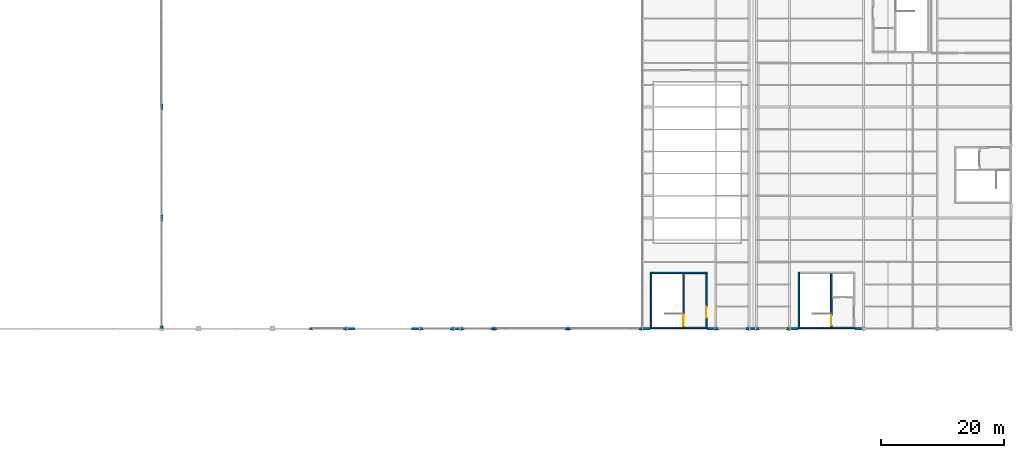
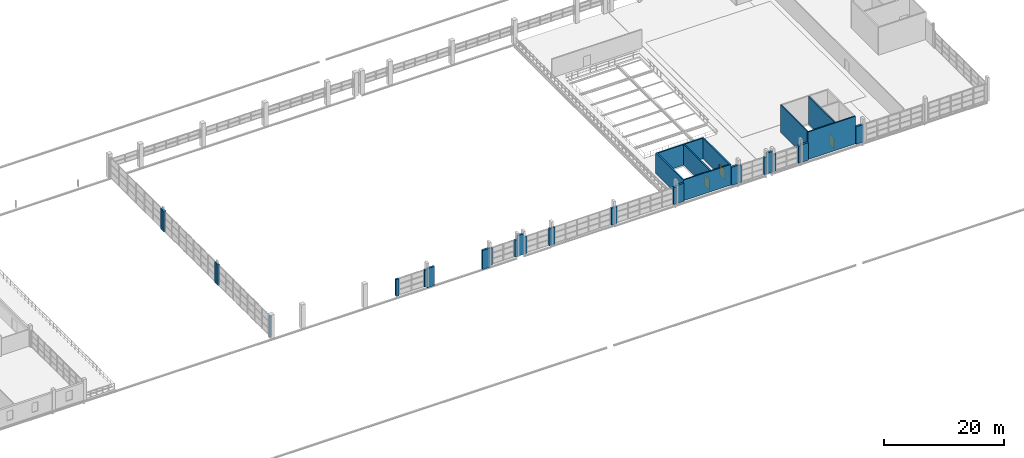
# One storey, part 79 of 86: 35 walls, 3 doors, 3 openings.
"""IFC4 building model written with IfcOpenShell, lengths in metres."""

from ifc_helpers import new_model, si_unit, direction, frame, frame_2d, origin, place, context, subcontext, project, spatial, rectangle, extrude, material, layer, layer_set, type_object, element, fill, save


model = new_model("IFC4")

# Units and contexts
model_context = context("Model", 3, precision=1e-05, world=origin(), true_north=direction((0.0, 1.0)))
body_context = subcontext(model_context, "Body", "Model", "MODEL_VIEW")
ifc_project = project(units=[si_unit("LENGTHUNIT", "METRE"), si_unit("AREAUNIT", "SQUARE_METRE"), si_unit("VOLUMEUNIT", "CUBIC_METRE"), si_unit("PLANEANGLEUNIT", "RADIAN"), si_unit("MASSUNIT", "GRAM", prefix="KILO")], contexts=[model_context])

# Site, building, storey
site_placement = place(None, origin())
site = spatial("IfcSite", under=ifc_project, at=site_placement, CompositionType="ELEMENT")
building_placement = place(site_placement, origin())
building = spatial("IfcBuilding", under=site, at=building_placement, Name="Zilviju Railside Exhibition Hall", CompositionType="ELEMENT")
storey_placement = place(building_placement, frame((0.0, 0.0, 12.60009765625)))
storey = spatial("IfcBuildingStorey", under=building, at=storey_placement, Name="L04", CompositionType="ELEMENT", Elevation=12.60009765625)

# Walls
ifc_material_1 = material(Name="Concrete C35/45", Category="concrete")
ifc_layer_1 = layer(ifc_material_1, 0.25)
ifc_layer_set_1 = layer_set([ifc_layer_1], Name="Concrete C35/45")
wall_type_1 = type_object("IfcWallType", Name="WL-CORE-250", PredefinedType="SHEAR", material=ifc_layer_set_1)
wall_1_placement = place(storey_placement, frame((157.52490234375, 84.0, 0.0), z_axis=(0.0, 0.0, 1.0), x_axis=(0.0, 1.0, 0.0)))
element("IfcWall", 1, at=wall_1_placement, inside=storey, type_object=wall_type_1, Name="Core C06 North Hall Court MidE Stairwell Outer Wall L04", PredefinedType="SHEAR", context=body_context, shape_type="SweptSolid", body=[
    extrude(rectangle(XDim=9.199951171875, YDim=0.25, at=frame_2d((4.60009765625, 0.0))), origin(), (0.0, 0.0, 1.0), 4.199951171875),
])
wall_2_placement = place(storey_placement, frame((157.39990234375, 93.074951171875, 0.0), z_axis=(0.0, 0.0, 1.0), x_axis=(1.0, 0.0, 0.0)))
element("IfcWall", 2, at=wall_2_placement, inside=storey, type_object=wall_type_1, Name="Core C06 North Hall Court MidE Core Rear Wall L04", PredefinedType="SHEAR", context=body_context, shape_type="SweptSolid", body=[
    extrude(rectangle(XDim=9.2001953125, YDim=0.25, at=frame_2d((4.60009765625, 0.0))), origin(), (0.0, 0.0, 1.0), 4.199951171875),
])

# Wall, opening, door
wall_3_placement = place(storey_placement, frame((166.47509765625, 84.0, 0.0), z_axis=(0.0, 0.0, 1.0), x_axis=(0.0, 1.0, 0.0)))
wall_3 = element("IfcWall", 3, at=wall_3_placement, inside=storey, type_object=wall_type_1, Name="Core C06 North Hall Court MidE Lobby Side Wall L04", PredefinedType="SHEAR", context=body_context, shape_type="SweptSolid", body=[
    extrude(rectangle(XDim=9.199951171875, YDim=0.25, at=frame_2d((4.60009765625, 0.0))), origin(), (0.0, 0.0, 1.0), 4.199951171875),
])
opening_1_placement = place(wall_3_placement, frame((1.800048828125, 0.0, 0.0)))
opening_1 = element("IfcOpeningElement", 4, at=opening_1_placement, cuts=wall_3, Name="Opening FD-02", PredefinedType="OPENING", context=body_context, shape_type="SweptSolid", body=[
    extrude(rectangle(XDim=1.800048828125, YDim=2.14990234375, at=frame_2d((0.89990234375, 1.074951171875))), frame((0.0, 0.135009765625, 0.0), z_axis=(0.0, -1.0, 0.0), x_axis=(1.0, 0.0, 0.0)), (0.0, 0.0, 1.0), 0.27001953125),
])
ifc_material_2 = material(Name="Self-closing glazed steel core lobby fire door EI 60", Category="steel")
door_type_1 = type_object("IfcDoorType", Name="DR-LOBBY-180x215", OperationType="NOTDEFINED", PredefinedType="DOOR", material=ifc_material_2)
door_1_placement = place(opening_1_placement, origin())
door_1 = element("IfcDoor", 5, at=door_1_placement, inside=storey, type_object=door_type_1, Name="Core C06 North Hall Court MidE Lobby Fire Door L04", OperationType="DOUBLE_DOOR_SINGLE_SWING", OverallHeight=2.14990234375, OverallWidth=1.800048828125, PredefinedType="DOOR", context=body_context, shape_type="SweptSolid", body=[
    extrude(rectangle(XDim=1.800048828125, YDim=2.14990234375, at=frame_2d((0.89990234375, 1.074951171875))), frame((0.0, 0.02490234375, 0.0), z_axis=(0.0, -1.0, 0.0), x_axis=(1.0, 0.0, 0.0)), (0.0, 0.0, 1.0), 0.050048828125),
])
fill(opening_1, door_1)

wall_4_placement = place(storey_placement, frame((162.77490234375, 84.25, 0.0), z_axis=(0.0, 0.0, 1.0), x_axis=(0.0, 1.0, 0.0)))
wall_4 = element("IfcWall", 6, at=wall_4_placement, inside=storey, type_object=wall_type_1, Name="Core C06 North Hall Court MidE Stairwell Partition Wall L04", PredefinedType="SHEAR", context=body_context, shape_type="SweptSolid", body=[
    extrude(rectangle(XDim=8.699951171875, YDim=0.25, at=frame_2d((4.35009765625, 0.0))), origin(), (0.0, 0.0, 1.0), 4.199951171875),
])
opening_2_placement = place(wall_4_placement, frame((0.25, 0.0, 0.0)))
opening_2 = element("IfcOpeningElement", 7, at=opening_2_placement, cuts=wall_4, Name="Opening FD-01", PredefinedType="OPENING", context=body_context, shape_type="SweptSolid", body=[
    extrude(rectangle(XDim=1.64990234375, YDim=2.10009765625, at=frame_2d((0.824951171875, 1.050048828125))), frame((0.0, 0.135009765625, 0.0), z_axis=(0.0, -1.0, 0.0), x_axis=(1.0, 0.0, 0.0)), (0.0, 0.0, 1.0), 0.27001953125),
])
ifc_material_3 = material(Name="Self-closing steel stair enclosure fire door EI 60", Category="steel")
door_type_2 = type_object("IfcDoorType", Name="DR-STAIR-165x210", OperationType="NOTDEFINED", PredefinedType="DOOR", material=ifc_material_3)
door_2_placement = place(opening_2_placement, origin())
door_2 = element("IfcDoor", 8, at=door_2_placement, inside=storey, type_object=door_type_2, Name="Core C06 North Hall Court MidE Protected Stair Door L04", OperationType="SINGLE_SWING_LEFT", OverallHeight=2.10009765625, OverallWidth=1.64990234375, PredefinedType="DOOR", context=body_context, shape_type="SweptSolid", body=[
    extrude(rectangle(XDim=1.64990234375, YDim=2.10009765625, at=frame_2d((0.824951171875, 1.050048828125))), frame((0.0, 0.02490234375, 0.0), z_axis=(0.0, -1.0, 0.0), x_axis=(1.0, 0.0, 0.0)), (0.0, 0.0, 1.0), 0.050048828125),
])
fill(opening_2, door_2)

# Wall
wall_5_placement = place(storey_placement, frame((181.52490234375, 84.0, 0.0), z_axis=(0.0, 0.0, 1.0), x_axis=(0.0, 1.0, 0.0)))
element("IfcWall", 9, at=wall_5_placement, inside=storey, type_object=wall_type_1, Name="Core C07 North Hall Court East Stairwell Outer Wall L04", PredefinedType="SHEAR", context=body_context, shape_type="SweptSolid", body=[
    extrude(rectangle(XDim=9.199951171875, YDim=0.25, at=frame_2d((4.60009765625, 0.0))), origin(), (0.0, 0.0, 1.0), 5.599853515625),
])

# Wall, opening, door
wall_6_placement = place(storey_placement, frame((186.77490234375, 84.25, 0.0), z_axis=(0.0, 0.0, 1.0), x_axis=(0.0, 1.0, 0.0)))
wall_6 = element("IfcWall", 10, at=wall_6_placement, inside=storey, type_object=wall_type_1, Name="Core C07 North Hall Court East Stairwell Partition Wall L04", PredefinedType="SHEAR", context=body_context, shape_type="SweptSolid", body=[
    extrude(rectangle(XDim=8.699951171875, YDim=0.25, at=frame_2d((4.35009765625, 0.0))), origin(), (0.0, 0.0, 1.0), 5.599853515625),
])
opening_3_placement = place(wall_6_placement, frame((0.25, 0.0, 0.0)))
opening_3 = element("IfcOpeningElement", 11, at=opening_3_placement, cuts=wall_6, Name="Opening FD-01", PredefinedType="OPENING", context=body_context, shape_type="SweptSolid", body=[
    extrude(rectangle(XDim=1.64990234375, YDim=2.10009765625, at=frame_2d((0.824951171875, 1.050048828125))), frame((0.0, 0.135009765625, 0.0), z_axis=(0.0, -1.0, 0.0), x_axis=(1.0, 0.0, 0.0)), (0.0, 0.0, 1.0), 0.27001953125),
])
door_3_placement = place(opening_3_placement, origin())
door_3 = element("IfcDoor", 12, at=door_3_placement, inside=storey, type_object=door_type_2, Name="Core C07 North Hall Court East Protected Stair Door L04", OperationType="SINGLE_SWING_LEFT", OverallHeight=2.10009765625, OverallWidth=1.64990234375, PredefinedType="DOOR", context=body_context, shape_type="SweptSolid", body=[
    extrude(rectangle(XDim=1.64990234375, YDim=2.10009765625, at=frame_2d((0.824951171875, 1.050048828125))), frame((0.0, 0.02490234375, 0.0), z_axis=(0.0, -1.0, 0.0), x_axis=(1.0, 0.0, 0.0)), (0.0, 0.0, 1.0), 0.050048828125),
])
fill(opening_3, door_3)

# Walls
ifc_material_4 = material(Name="Concrete C40/50", Category="concrete")
ifc_layer_2 = layer(ifc_material_4, 0.25)
ifc_layer_set_2 = layer_set([ifc_layer_2], Name="Concrete C40/50")
wall_type_2 = type_object("IfcWallType", Name="WL-CORE-300", PredefinedType="SHEAR", material=ifc_layer_set_2)
wall_7_placement = place(storey_placement, frame((166.60009765625, 84.125, 0.0), z_axis=(0.0, 0.0, 1.0), x_axis=(-1.0, 0.0, 0.0)))
element("IfcWall", 13, at=wall_7_placement, inside=storey, type_object=wall_type_2, Name="Core C06 North Hall Court MidE Exterior Core Wall L04", PredefinedType="SHEAR", context=body_context, shape_type="SweptSolid", body=[
    extrude(rectangle(XDim=9.2001953125, YDim=0.25, at=frame_2d((4.60009765625, 0.0))), origin(), (0.0, 0.0, 1.0), 4.199951171875),
])
wall_8_placement = place(storey_placement, frame((190.60009765625, 84.125, 0.0), z_axis=(0.0, 0.0, 1.0), x_axis=(-1.0, 0.0, 0.0)))
element("IfcWall", 14, at=wall_8_placement, inside=storey, type_object=wall_type_2, Name="Core C07 North Hall Court East Exterior Core Wall L04", PredefinedType="SHEAR", context=body_context, shape_type="SweptSolid", body=[
    extrude(rectangle(XDim=9.2001953125, YDim=0.25, at=frame_2d((4.60009765625, 0.0))), origin(), (0.0, 0.0, 1.0), 5.599853515625),
])
ifc_material_5 = material(Name="Insulated cream-brick upper facade wall", Category="masonry")
ifc_layer_3 = layer(ifc_material_5, 0.3798828125)
ifc_layer_set_3 = layer_set([ifc_layer_3], Name="Insulated cream-brick upper facade wall")
wall_type_3 = type_object("IfcWallType", Name="WL-EXT-380", PredefinedType="SOLIDWALL", material=ifc_layer_set_3)
wall_9_placement = place(storey_placement, frame((102.550048828125, 84.0, 0.0), z_axis=(0.0, 0.0, 1.0), x_axis=(-1.0, 0.0, 0.0)))
element("IfcWall", 15, at=wall_9_placement, inside=storey, type_object=wall_type_3, Name="Curtain-Wall Jamb Closure Pier L04 0260", PredefinedType="SOLIDWALL", context=body_context, shape_type="SweptSolid", body=[
    extrude(rectangle(XDim=0.550048828125, YDim=0.3798828125, at=frame_2d((0.27490234375, 0.0))), origin(), (0.0, 0.0, 1.0), 3.449951171875),
])
wall_10_placement = place(storey_placement, frame((107.998046875, 84.0, 0.0), z_axis=(0.0, 0.0, 1.0), x_axis=(-1.0, 0.0, 0.0)))
element("IfcWall", 16, at=wall_10_placement, inside=storey, type_object=wall_type_3, Name="Curtain-Wall Jamb Closure Pier L04 0261", PredefinedType="SOLIDWALL", context=body_context, shape_type="SweptSolid", body=[
    extrude(rectangle(XDim=0.548095703125, YDim=0.3798828125, at=frame_2d((0.27392578125, 0.0))), origin(), (0.0, 0.0, 1.0), 3.449951171875),
])
for number, where, z_axis, x_axis, name in (
    (17, (109.39990234375, 84.0, -0.340087890625), (0.0, 0.0, 1.0), (-1.0, 0.0, 0.0), "Exterior Facade Wall L04 South 0262"),
    (18, (120.0, 84.0, -0.340087890625), (0.0, 0.0, 1.0), (-1.0, 0.0, 0.0), "Exterior Facade Wall L04 South 0263"),
):
    element("IfcWall", number, at=place(storey_placement, frame(where, z_axis=z_axis, x_axis=x_axis)), inside=storey, type_object=wall_type_3, Name=name, PredefinedType="SOLIDWALL", context=body_context, shape_type="SweptSolid", body=[
        extrude(rectangle(XDim=1.39990234375, YDim=0.3798828125, at=frame_2d((0.699951171875, 0.0))), origin(), (0.0, 0.0, 1.0), 3.909912109375),
    ])
wall_11_placement = place(storey_placement, frame((120.550048828125, 84.0, 0.0), z_axis=(0.0, 0.0, 1.0), x_axis=(-1.0, 0.0, 0.0)))
element("IfcWall", 19, at=wall_11_placement, inside=storey, type_object=wall_type_3, Name="Curtain-Wall Jamb Closure Pier L04 0264", PredefinedType="SOLIDWALL", context=body_context, shape_type="SweptSolid", body=[
    extrude(rectangle(XDim=0.548095703125, YDim=0.3798828125, at=frame_2d((0.27392578125, 0.0))), origin(), (0.0, 0.0, 1.0), 3.449951171875),
])
for number, where, z_axis, x_axis, name in (
    (20, (125.39794921875, 84.0, 0.0), (0.0, 0.0, 1.0), (-1.0, 0.0, 0.0), "Curtain-Wall Jamb Closure Pier L04 0265"),
    (21, (127.14990234375, 84.0, 0.0), (0.0, 0.0, 1.0), (-1.0, 0.0, 0.0), "Curtain-Wall Jamb Closure Pier L04 0266"),
):
    element("IfcWall", number, at=place(storey_placement, frame(where, z_axis=z_axis, x_axis=x_axis)), inside=storey, type_object=wall_type_3, Name=name, PredefinedType="SOLIDWALL", context=body_context, shape_type="SweptSolid", body=[
        extrude(rectangle(XDim=0.5478515625, YDim=0.3798828125, at=frame_2d((0.27392578125, 0.0))), origin(), (0.0, 0.0, 1.0), 3.449951171875),
    ])
wall_12_placement = place(storey_placement, frame((132.0, 84.0, 0.0), z_axis=(0.0, 0.0, 1.0), x_axis=(-1.0, 0.0, 0.0)))
element("IfcWall", 22, at=wall_12_placement, inside=storey, type_object=wall_type_3, Name="Curtain-Wall Jamb Closure Pier L04 0267", PredefinedType="SOLIDWALL", context=body_context, shape_type="SweptSolid", body=[
    extrude(rectangle(XDim=0.550048828125, YDim=0.3798828125, at=frame_2d((0.27490234375, 0.0))), origin(), (0.0, 0.0, 1.0), 3.449951171875),
])
wall_13_placement = place(storey_placement, frame((132.550048828125, 84.0, 0.0), z_axis=(0.0, 0.0, 1.0), x_axis=(-1.0, 0.0, 0.0)))
element("IfcWall", 23, at=wall_13_placement, inside=storey, type_object=wall_type_3, Name="Curtain-Wall Jamb Closure Pier L04 0268", PredefinedType="SOLIDWALL", context=body_context, shape_type="SweptSolid", body=[
    extrude(rectangle(XDim=0.548095703125, YDim=0.3798828125, at=frame_2d((0.27392578125, 0.0))), origin(), (0.0, 0.0, 1.0), 3.449951171875),
])
wall_14_placement = place(storey_placement, frame((144.0, 84.0, 0.0), z_axis=(0.0, 0.0, 1.0), x_axis=(-1.0, 0.0, 0.0)))
element("IfcWall", 24, at=wall_14_placement, inside=storey, type_object=wall_type_3, Name="Curtain-Wall Jamb Closure Pier L04 0269", PredefinedType="SOLIDWALL", context=body_context, shape_type="SweptSolid", body=[
    extrude(rectangle(XDim=0.550048828125, YDim=0.3798828125, at=frame_2d((0.27490234375, 0.0))), origin(), (0.0, 0.0, 1.0), 3.449951171875),
])
for number, where, z_axis, x_axis, name in (
    (25, (144.550048828125, 84.0, 0.0), (0.0, 0.0, 1.0), (-1.0, 0.0, 0.0), "Curtain-Wall Jamb Closure Pier L04 0270"),
    (26, (155.998046875, 84.0, 0.0), (0.0, 0.0, 1.0), (-1.0, 0.0, 0.0), "Curtain-Wall Jamb Closure Pier L04 0271"),
):
    element("IfcWall", number, at=place(storey_placement, frame(where, z_axis=z_axis, x_axis=x_axis)), inside=storey, type_object=wall_type_3, Name=name, PredefinedType="SOLIDWALL", context=body_context, shape_type="SweptSolid", body=[
        extrude(rectangle(XDim=0.548095703125, YDim=0.3798828125, at=frame_2d((0.27392578125, 0.0))), origin(), (0.0, 0.0, 1.0), 3.449951171875),
    ])
for number, where, z_axis, x_axis, name in (
    (27, (157.39990234375, 84.0, 0.0), (0.0, 0.0, 1.0), (-1.0, 0.0, 0.0), "Exterior Facade Wall L04 South 0272"),
    (28, (168.0, 84.0, 0.0), (0.0, 0.0, 1.0), (-1.0, 0.0, 0.0), "Exterior Facade Wall L04 South 0273"),
):
    element("IfcWall", number, at=place(storey_placement, frame(where, z_axis=z_axis, x_axis=x_axis)), inside=storey, type_object=wall_type_3, Name=name, PredefinedType="SOLIDWALL", context=body_context, shape_type="SweptSolid", body=[
        extrude(rectangle(XDim=1.39990234375, YDim=0.3798828125, at=frame_2d((0.699951171875, 0.0))), origin(), (0.0, 0.0, 1.0), 3.68994140625),
    ])
wall_15_placement = place(storey_placement, frame((168.550048828125, 84.0, 0.0), z_axis=(0.0, 0.0, 1.0), x_axis=(-1.0, 0.0, 0.0)))
element("IfcWall", 29, at=wall_15_placement, inside=storey, type_object=wall_type_3, Name="Curtain-Wall Jamb Closure Pier L04 0274", PredefinedType="SOLIDWALL", context=body_context, shape_type="SweptSolid", body=[
    extrude(rectangle(XDim=0.548095703125, YDim=0.3798828125, at=frame_2d((0.27392578125, 0.0))), origin(), (0.0, 0.0, 1.0), 3.449951171875),
])
for number, where, z_axis, x_axis, name in (
    (30, (173.39794921875, 84.0, 0.0), (0.0, 0.0, 1.0), (-1.0, 0.0, 0.0), "Curtain-Wall Jamb Closure Pier L04 0275"),
    (31, (175.14990234375, 84.0, 0.0), (0.0, 0.0, 1.0), (-1.0, 0.0, 0.0), "Curtain-Wall Jamb Closure Pier L04 0276"),
):
    element("IfcWall", number, at=place(storey_placement, frame(where, z_axis=z_axis, x_axis=x_axis)), inside=storey, type_object=wall_type_3, Name=name, PredefinedType="SOLIDWALL", context=body_context, shape_type="SweptSolid", body=[
        extrude(rectangle(XDim=0.5478515625, YDim=0.3798828125, at=frame_2d((0.27392578125, 0.0))), origin(), (0.0, 0.0, 1.0), 3.449951171875),
    ])
wall_16_placement = place(storey_placement, frame((179.998046875, 84.0, 0.0), z_axis=(0.0, 0.0, 1.0), x_axis=(-1.0, 0.0, 0.0)))
element("IfcWall", 32, at=wall_16_placement, inside=storey, type_object=wall_type_3, Name="Curtain-Wall Jamb Closure Pier L04 0277", PredefinedType="SOLIDWALL", context=body_context, shape_type="SweptSolid", body=[
    extrude(rectangle(XDim=0.548095703125, YDim=0.3798828125, at=frame_2d((0.27392578125, 0.0))), origin(), (0.0, 0.0, 1.0), 3.449951171875),
])
for number, where, z_axis, x_axis, name in (
    (33, (181.39990234375, 84.0, 0.0), (0.0, 0.0, 1.0), (-1.0, 0.0, 0.0), "Exterior Facade Wall L04 South 0278"),
    (34, (192.0, 84.0, 0.0), (0.0, 0.0, 1.0), (-1.0, 0.0, 0.0), "Exterior Facade Wall L04 South 0279"),
):
    element("IfcWall", number, at=place(storey_placement, frame(where, z_axis=z_axis, x_axis=x_axis)), inside=storey, type_object=wall_type_3, Name=name, PredefinedType="SOLIDWALL", context=body_context, shape_type="SweptSolid", body=[
        extrude(rectangle(XDim=1.39990234375, YDim=0.3798828125, at=frame_2d((0.699951171875, 0.0))), origin(), (0.0, 0.0, 1.0), 3.56982421875),
    ])
for number, where, z_axis, x_axis, name in (
    (35, (78.0, 84.0, 0.0), (0.0, 0.0, 1.0), (0.0, 1.0, 0.0), "Curtain-Wall Jamb Closure Pier L04 0319"),
    (36, (78.0, 101.449951171875, 0.0), (0.0, 0.0, 1.0), (0.0, 1.0, 0.0), "Curtain-Wall Jamb Closure Pier L04 0320"),
):
    element("IfcWall", number, at=place(storey_placement, frame(where, z_axis=z_axis, x_axis=x_axis)), inside=storey, type_object=wall_type_3, Name=name, PredefinedType="SOLIDWALL", context=body_context, shape_type="SweptSolid", body=[
        extrude(rectangle(XDim=0.550048828125, YDim=0.3798828125, at=frame_2d((0.27490234375, 0.0))), origin(), (0.0, 0.0, 1.0), 4.199951171875),
    ])
wall_17_placement = place(storey_placement, frame((78.0, 102.001953125, 0.0), z_axis=(0.0, 0.0, 1.0), x_axis=(0.0, 1.0, 0.0)))
element("IfcWall", 37, at=wall_17_placement, inside=storey, type_object=wall_type_3, Name="Curtain-Wall Jamb Closure Pier L04 0321", PredefinedType="SOLIDWALL", context=body_context, shape_type="SweptSolid", body=[
    extrude(rectangle(XDim=0.548095703125, YDim=0.3798828125, at=frame_2d((0.27392578125, 0.0))), origin(), (0.0, 0.0, 1.0), 4.199951171875),
])
wall_18_placement = place(storey_placement, frame((78.0, 119.449951171875, 0.0), z_axis=(0.0, 0.0, 1.0), x_axis=(0.0, 1.0, 0.0)))
element("IfcWall", 38, at=wall_18_placement, inside=storey, type_object=wall_type_3, Name="Curtain-Wall Jamb Closure Pier L04 0322", PredefinedType="SOLIDWALL", context=body_context, shape_type="SweptSolid", body=[
    extrude(rectangle(XDim=0.550048828125, YDim=0.3798828125, at=frame_2d((0.27490234375, 0.0))), origin(), (0.0, 0.0, 1.0), 4.199951171875),
])
wall_19_placement = place(storey_placement, frame((78.0, 120.001953125, 0.0), z_axis=(0.0, 0.0, 1.0), x_axis=(0.0, 1.0, 0.0)))
element("IfcWall", 39, at=wall_19_placement, inside=storey, type_object=wall_type_3, Name="Curtain-Wall Jamb Closure Pier L04 0323", PredefinedType="SOLIDWALL", context=body_context, shape_type="SweptSolid", body=[
    extrude(rectangle(XDim=0.548095703125, YDim=0.3798828125, at=frame_2d((0.27392578125, 0.0))), origin(), (0.0, 0.0, 1.0), 4.199951171875),
])
for number, where, z_axis, x_axis, name in (
    (40, (126.60009765625, 84.0, 0.0), (0.0, 0.0, 1.0), (-1.0, 0.0, 0.0), "Exterior Facade Wall L04 South 0593"),
    (41, (174.60009765625, 84.0, 0.0), (0.0, 0.0, 1.0), (-1.0, 0.0, 0.0), "Exterior Facade Wall L04 South 0607"),
):
    element("IfcWall", number, at=place(storey_placement, frame(where, z_axis=z_axis, x_axis=x_axis)), inside=storey, type_object=wall_type_3, Name=name, PredefinedType="SOLIDWALL", context=body_context, shape_type="SweptSolid", body=[
        extrude(rectangle(XDim=1.2001953125, YDim=0.3798828125, at=frame_2d((0.60009765625, 0.0))), origin(), (0.0, 0.0, 1.0), 4.199951171875),
    ])

save(model, "model.ifc")
